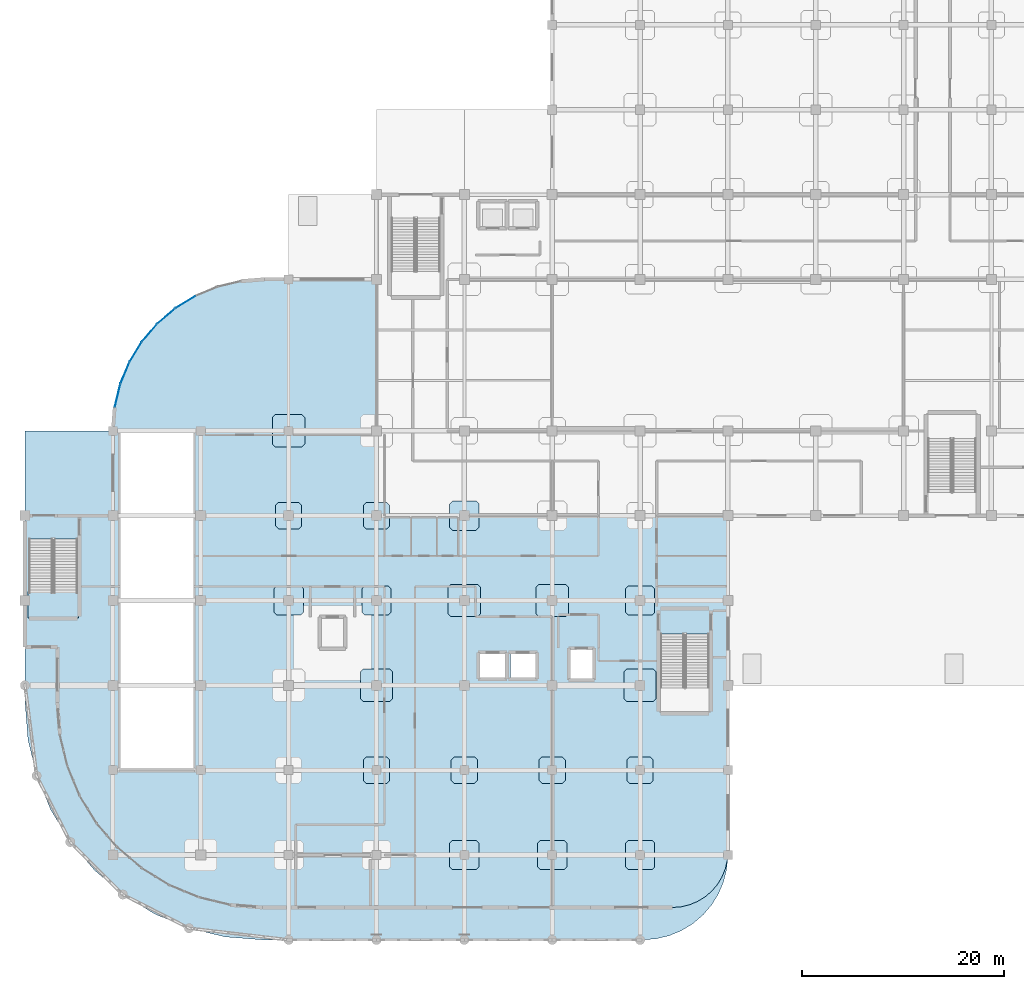
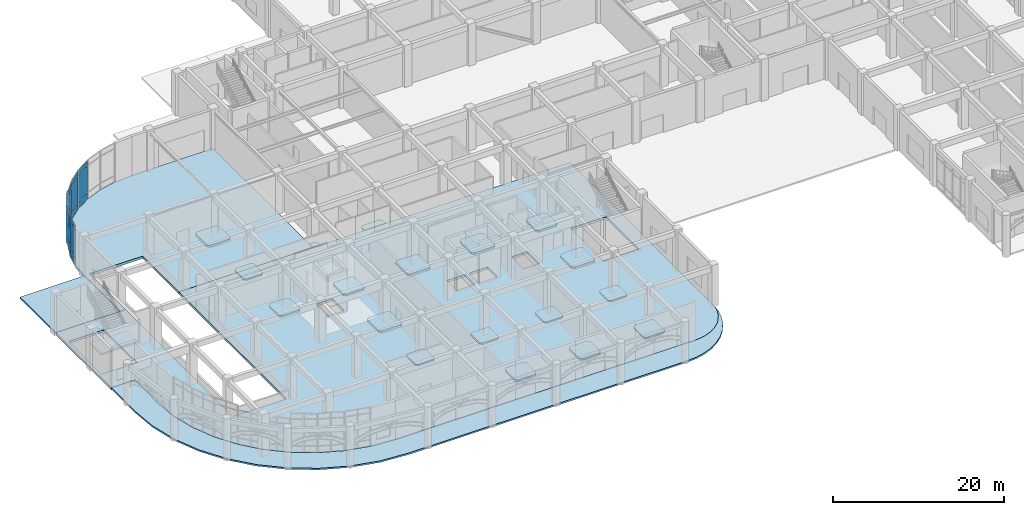
# One storey, part 51 of 82: 23 slabs, 18 plates, 7 elements without a shape of their own.
"""IFC4 building model written with IfcOpenShell, lengths in metres."""

from ifc_helpers import new_model, si_unit, derived_unit, direction, frame, origin, origin_2d, place, context, subcontext, project, spatial, polyline, rectangle, outline, extrude, material, layer, layer_set, type_object, element, aggregate, save


model = new_model("IFC4")

# Units and contexts
model_context = context("Model", 3, precision=1e-05, world=origin(), true_north=direction((0.0, 1.0)))
body_context = subcontext(model_context, "Body", "Model", "MODEL_VIEW")
ifc_project = project(units=[si_unit("LENGTHUNIT", "METRE"), si_unit("AREAUNIT", "SQUARE_METRE"), si_unit("VOLUMEUNIT", "CUBIC_METRE"), si_unit("PLANEANGLEUNIT", "RADIAN"), si_unit("MASSUNIT", "GRAM", prefix="KILO"), derived_unit("THERMALTRANSMITTANCEUNIT", [(si_unit("MASSUNIT", "GRAM", prefix="KILO"), 1), (si_unit("TIMEUNIT", "SECOND"), -3), (si_unit("THERMODYNAMICTEMPERATUREUNIT", "KELVIN"), -1)])], contexts=[model_context])

# Site, building, storey
site_placement = place(None, origin())
site = spatial("IfcSite", under=ifc_project, at=site_placement, CompositionType="ELEMENT")
building_placement = place(site_placement, origin())
building = spatial("IfcBuilding", under=site, at=building_placement, Name="Qinzheling Arcade Emporium", CompositionType="ELEMENT")
storey_placement = place(building_placement, origin())
storey = spatial("IfcBuildingStorey", under=building, at=storey_placement, Name="L01", CompositionType="ELEMENT", Elevation=0.0)

# Slabs
ifc_material_1 = material(Name="Concrete C40", Category="concrete")
ifc_layer_1 = layer(ifc_material_1, 0.235107421875, Name="Concrete C40", Category="concrete")
ifc_layer_set_1 = layer_set([ifc_layer_1], Name="Concrete C40")
slab_type_1 = type_object("IfcSlabType", Name="Column Head Drop Panel 2600x2600x235 C40", PredefinedType="USERDEFINED", material=ifc_layer_set_1)
slab_1_placement = place(storey_placement, frame((0.0, 0.0, -0.574951171875)))
element("IfcSlab", 1, at=slab_1_placement, inside=storey, type_object=slab_type_1, Name="Column Drop Panel DP-L01-4-F", ObjectType="DROP_PANEL", PredefinedType="USERDEFINED", context=body_context, shape_type="SweptSolid", body=[
    extrude(outline(polyline([(25.080078125, 40.699951171875), (27.1201171875, 40.699951171875), (27.39990234375, 40.97998046875), (27.39990234375, 43.02001953125), (27.1201171875, 43.300048828125), (25.080078125, 43.300048828125), (24.800048828125, 43.02001953125), (24.800048828125, 40.97998046875), (25.080078125, 40.699951171875)])), origin(), (0.0, 0.0, 1.0), 0.23486328125),
])
slab_2_placement = place(storey_placement, frame((0.0, 0.0, -0.574951171875)))
element("IfcSlab", 2, at=slab_2_placement, inside=storey, type_object=slab_type_1, Name="Column Drop Panel DP-L01-5-C", ObjectType="DROP_PANEL", PredefinedType="USERDEFINED", context=body_context, shape_type="SweptSolid", body=[
    extrude(outline(polyline([(33.780029296875, 15.5), (35.820068359375, 15.5), (36.10009765625, 15.780029296875), (36.10009765625, 17.820068359375), (35.820068359375, 18.10009765625), (33.780029296875, 18.10009765625), (33.5, 17.820068359375), (33.5, 15.780029296875), (33.780029296875, 15.5)])), origin(), (0.0, 0.0, 1.0), 0.23486328125),
])
slab_3_placement = place(storey_placement, frame((0.0, 0.0, -0.574951171875)))
element("IfcSlab", 3, at=slab_3_placement, inside=storey, type_object=slab_type_1, Name="Column Drop Panel DP-L01-5-F", ObjectType="DROP_PANEL", PredefinedType="USERDEFINED", context=body_context, shape_type="SweptSolid", body=[
    extrude(outline(polyline([(33.780029296875, 40.699951171875), (35.820068359375, 40.699951171875), (36.10009765625, 40.97998046875), (36.10009765625, 43.02001953125), (35.820068359375, 43.300048828125), (33.780029296875, 43.300048828125), (33.5, 43.02001953125), (33.5, 40.97998046875), (33.780029296875, 40.699951171875)])), origin(), (0.0, 0.0, 1.0), 0.23486328125),
])
slab_4_placement = place(storey_placement, frame((0.0, 0.0, -0.574951171875)))
element("IfcSlab", 4, at=slab_4_placement, inside=storey, type_object=slab_type_1, Name="Column Drop Panel DP-L01-6-C", ObjectType="DROP_PANEL", PredefinedType="USERDEFINED", context=body_context, shape_type="SweptSolid", body=[
    extrude(outline(polyline([(42.47998046875, 15.5), (44.52001953125, 15.5), (44.800048828125, 15.780029296875), (44.800048828125, 17.820068359375), (44.52001953125, 18.10009765625), (42.47998046875, 18.10009765625), (42.199951171875, 17.820068359375), (42.199951171875, 15.780029296875), (42.47998046875, 15.5)])), origin(), (0.0, 0.0, 1.0), 0.23486328125),
])
slab_5_placement = place(storey_placement, frame((0.0, 0.0, -0.574951171875)))
element("IfcSlab", 5, at=slab_5_placement, inside=storey, type_object=slab_type_1, Name="Column Drop Panel DP-L01-7-C", ObjectType="DROP_PANEL", PredefinedType="USERDEFINED", context=body_context, shape_type="SweptSolid", body=[
    extrude(outline(polyline([(51.179931640625, 15.5), (53.219970703125, 15.5), (53.5, 15.780029296875), (53.5, 17.820068359375), (53.219970703125, 18.10009765625), (51.179931640625, 18.10009765625), (50.89990234375, 17.820068359375), (50.89990234375, 15.780029296875), (51.179931640625, 15.5)])), origin(), (0.0, 0.0, 1.0), 0.23486328125),
])
slab_6_placement = place(storey_placement, frame((0.0, 0.0, -0.574951171875)))
element("IfcSlab", 6, at=slab_6_placement, inside=storey, type_object=slab_type_1, Name="Column Drop Panel DP-L01-8-C", ObjectType="DROP_PANEL", PredefinedType="USERDEFINED", context=body_context, shape_type="SweptSolid", body=[
    extrude(outline(polyline([(59.8798828125, 15.5), (61.919921875, 15.5), (62.199951171875, 15.780029296875), (62.199951171875, 17.820068359375), (61.919921875, 18.10009765625), (59.8798828125, 18.10009765625), (59.60009765625, 17.820068359375), (59.60009765625, 15.780029296875), (59.8798828125, 15.5)])), origin(), (0.0, 0.0, 1.0), 0.23486328125),
])
ifc_layer_2 = layer(ifc_material_1, 0.27001953125, Name="Concrete C40", Category="concrete")
ifc_layer_set_2 = layer_set([ifc_layer_2], Name="Concrete C40")
slab_type_2 = type_object("IfcSlabType", Name="Column Head Drop Panel 2900x2900x270 C40", PredefinedType="USERDEFINED", material=ifc_layer_set_2)
slab_7_placement = place(storey_placement, frame((0.0, 0.0, -0.610107421875)))
element("IfcSlab", 7, at=slab_7_placement, inside=storey, type_object=slab_type_2, Name="Column Drop Panel DP-L01-4-E", ObjectType="DROP_PANEL", PredefinedType="USERDEFINED", context=body_context, shape_type="SweptSolid", body=[
    extrude(outline(polyline([(24.929931640625, 32.14990234375), (27.27001953125, 32.14990234375), (27.550048828125, 32.429931640625), (27.550048828125, 34.77001953125), (27.27001953125, 35.050048828125), (24.929931640625, 35.050048828125), (24.64990234375, 34.77001953125), (24.64990234375, 32.429931640625), (24.929931640625, 32.14990234375)])), origin(), (0.0, 0.0, 1.0), 0.27001953125),
])
slab_8_placement = place(storey_placement, frame((0.0, 0.0, -0.610107421875)))
element("IfcSlab", 8, at=slab_8_placement, inside=storey, type_object=slab_type_2, Name="Column Drop Panel DP-L01-5-E", ObjectType="DROP_PANEL", PredefinedType="USERDEFINED", context=body_context, shape_type="SweptSolid", body=[
    extrude(outline(polyline([(33.6298828125, 32.14990234375), (35.969970703125, 32.14990234375), (36.25, 32.429931640625), (36.25, 34.77001953125), (35.969970703125, 35.050048828125), (33.6298828125, 35.050048828125), (33.35009765625, 34.77001953125), (33.35009765625, 32.429931640625), (33.6298828125, 32.14990234375)])), origin(), (0.0, 0.0, 1.0), 0.27001953125),
])
slab_9_placement = place(storey_placement, frame((0.0, 0.0, -0.610107421875)))
element("IfcSlab", 9, at=slab_9_placement, inside=storey, type_object=slab_type_2, Name="Column Drop Panel DP-L01-6-B", ObjectType="DROP_PANEL", PredefinedType="USERDEFINED", context=body_context, shape_type="SweptSolid", body=[
    extrude(outline(polyline([(42.330078125, 6.949951171875), (44.669921875, 6.949951171875), (44.949951171875, 7.22998046875), (44.949951171875, 9.570068359375), (44.669921875, 9.85009765625), (42.330078125, 9.85009765625), (42.050048828125, 9.570068359375), (42.050048828125, 7.22998046875), (42.330078125, 6.949951171875)])), origin(), (0.0, 0.0, 1.0), 0.27001953125),
])
slab_10_placement = place(storey_placement, frame((0.0, 0.0, -0.610107421875)))
element("IfcSlab", 10, at=slab_10_placement, inside=storey, type_object=slab_type_2, Name="Column Drop Panel DP-L01-6-F", ObjectType="DROP_PANEL", PredefinedType="USERDEFINED", context=body_context, shape_type="SweptSolid", body=[
    extrude(outline(polyline([(42.330078125, 40.550048828125), (44.669921875, 40.550048828125), (44.949951171875, 40.830078125), (44.949951171875, 43.169921875), (44.669921875, 43.449951171875), (42.330078125, 43.449951171875), (42.050048828125, 43.169921875), (42.050048828125, 40.830078125), (42.330078125, 40.550048828125)])), origin(), (0.0, 0.0, 1.0), 0.27001953125),
])
slab_11_placement = place(storey_placement, frame((0.0, 0.0, -0.610107421875)))
element("IfcSlab", 11, at=slab_11_placement, inside=storey, type_object=slab_type_2, Name="Column Drop Panel DP-L01-7-B", ObjectType="DROP_PANEL", PredefinedType="USERDEFINED", context=body_context, shape_type="SweptSolid", body=[
    extrude(outline(polyline([(51.030029296875, 6.949951171875), (53.3701171875, 6.949951171875), (53.64990234375, 7.22998046875), (53.64990234375, 9.570068359375), (53.3701171875, 9.85009765625), (51.030029296875, 9.85009765625), (50.75, 9.570068359375), (50.75, 7.22998046875), (51.030029296875, 6.949951171875)])), origin(), (0.0, 0.0, 1.0), 0.27001953125),
])
slab_12_placement = place(storey_placement, frame((0.0, 0.0, -0.610107421875)))
element("IfcSlab", 12, at=slab_12_placement, inside=storey, type_object=slab_type_2, Name="Column Drop Panel DP-L01-8-B", ObjectType="DROP_PANEL", PredefinedType="USERDEFINED", context=body_context, shape_type="SweptSolid", body=[
    extrude(outline(polyline([(59.72998046875, 6.949951171875), (62.070068359375, 6.949951171875), (62.35009765625, 7.22998046875), (62.35009765625, 9.570068359375), (62.070068359375, 9.85009765625), (59.72998046875, 9.85009765625), (59.449951171875, 9.570068359375), (59.449951171875, 7.22998046875), (59.72998046875, 6.949951171875)])), origin(), (0.0, 0.0, 1.0), 0.27001953125),
])
slab_13_placement = place(storey_placement, frame((0.0, 0.0, -0.610107421875)))
element("IfcSlab", 13, at=slab_13_placement, inside=storey, type_object=slab_type_2, Name="Column Drop Panel DP-L01-8-E", ObjectType="DROP_PANEL", PredefinedType="USERDEFINED", context=body_context, shape_type="SweptSolid", body=[
    extrude(outline(polyline([(59.72998046875, 32.14990234375), (62.070068359375, 32.14990234375), (62.35009765625, 32.429931640625), (62.35009765625, 34.77001953125), (62.070068359375, 35.050048828125), (59.72998046875, 35.050048828125), (59.449951171875, 34.77001953125), (59.449951171875, 32.429931640625), (59.72998046875, 32.14990234375)])), origin(), (0.0, 0.0, 1.0), 0.27001953125),
])
ifc_layer_3 = layer(ifc_material_1, 0.300048828125, Name="Concrete C40", Category="concrete")
ifc_layer_set_3 = layer_set([ifc_layer_3], Name="Concrete C40")
slab_type_3 = type_object("IfcSlabType", Name="Column Head Drop Panel 3200x3200x300 C40", PredefinedType="USERDEFINED", material=ifc_layer_set_3)
slab_14_placement = place(storey_placement, frame((0.0, 0.0, -0.639892578125)))
element("IfcSlab", 14, at=slab_14_placement, inside=storey, type_object=slab_type_3, Name="Column Drop Panel DP-L01-4-G", ObjectType="DROP_PANEL", PredefinedType="USERDEFINED", context=body_context, shape_type="SweptSolid", body=[
    extrude(outline(polyline([(24.780029296875, 48.800048828125), (27.419921875, 48.800048828125), (27.699951171875, 49.080078125), (27.699951171875, 51.719970703125), (27.419921875, 52.0), (24.780029296875, 52.0), (24.5, 51.719970703125), (24.5, 49.080078125), (24.780029296875, 48.800048828125)])), origin(), (0.0, 0.0, 1.0), 0.2998046875),
])
slab_15_placement = place(storey_placement, frame((0.0, 0.0, -0.639892578125)))
element("IfcSlab", 15, at=slab_15_placement, inside=storey, type_object=slab_type_3, Name="Column Drop Panel DP-L01-5-D", ObjectType="DROP_PANEL", PredefinedType="USERDEFINED", context=body_context, shape_type="SweptSolid", body=[
    extrude(outline(polyline([(33.47998046875, 23.60009765625), (36.1201171875, 23.60009765625), (36.39990234375, 23.8798828125), (36.39990234375, 26.52001953125), (36.1201171875, 26.800048828125), (33.47998046875, 26.800048828125), (33.199951171875, 26.52001953125), (33.199951171875, 23.8798828125), (33.47998046875, 23.60009765625)])), origin(), (0.0, 0.0, 1.0), 0.2998046875),
])
slab_16_placement = place(storey_placement, frame((0.0, 0.0, -0.639892578125)))
element("IfcSlab", 16, at=slab_16_placement, inside=storey, type_object=slab_type_3, Name="Column Drop Panel DP-L01-6-E", ObjectType="DROP_PANEL", PredefinedType="USERDEFINED", context=body_context, shape_type="SweptSolid", body=[
    extrude(outline(polyline([(42.179931640625, 32.0), (44.820068359375, 32.0), (45.10009765625, 32.280029296875), (45.10009765625, 34.919921875), (44.820068359375, 35.199951171875), (42.179931640625, 35.199951171875), (41.89990234375, 34.919921875), (41.89990234375, 32.280029296875), (42.179931640625, 32.0)])), origin(), (0.0, 0.0, 1.0), 0.2998046875),
])
slab_17_placement = place(storey_placement, frame((0.0, 0.0, -0.639892578125)))
element("IfcSlab", 17, at=slab_17_placement, inside=storey, type_object=slab_type_3, Name="Column Drop Panel DP-L01-7-E", ObjectType="DROP_PANEL", PredefinedType="USERDEFINED", context=body_context, shape_type="SweptSolid", body=[
    extrude(outline(polyline([(50.8798828125, 32.0), (53.52001953125, 32.0), (53.800048828125, 32.280029296875), (53.800048828125, 34.919921875), (53.52001953125, 35.199951171875), (50.8798828125, 35.199951171875), (50.60009765625, 34.919921875), (50.60009765625, 32.280029296875), (50.8798828125, 32.0)])), origin(), (0.0, 0.0, 1.0), 0.2998046875),
])
slab_18_placement = place(storey_placement, frame((0.0, 0.0, -0.639892578125)))
element("IfcSlab", 18, at=slab_18_placement, inside=storey, type_object=slab_type_3, Name="Column Drop Panel DP-L01-8-D", ObjectType="DROP_PANEL", PredefinedType="USERDEFINED", context=body_context, shape_type="SweptSolid", body=[
    extrude(outline(polyline([(59.580078125, 23.60009765625), (62.219970703125, 23.60009765625), (62.5, 23.8798828125), (62.5, 26.52001953125), (62.219970703125, 26.800048828125), (59.580078125, 26.800048828125), (59.300048828125, 26.52001953125), (59.300048828125, 23.8798828125), (59.580078125, 23.60009765625)])), origin(), (0.0, 0.0, 1.0), 0.2998046875),
])
ifc_layer_4 = layer(ifc_material_1, 0.219970703125, Name="Concrete C40", Category="concrete")
ifc_layer_set_4 = layer_set([ifc_layer_4], Name="Concrete C40")
slab_type_4 = type_object("IfcSlabType", Name="Exterior Entry Driveway Paving Slab 220 C40", PredefinedType="FLOOR", material=ifc_layer_set_4)
slab_19_placement = place(storey_placement, frame((0.0, 0.0, -0.219970703125)))
element("IfcSlab", 19, at=slab_19_placement, inside=storey, type_object=slab_type_4, Name="Arcade and Court Paving SLB-L01-ARC-COL-01", PredefinedType="FLOOR", context=body_context, shape_type="SweptSolid", body=[
    extrude(outline(polyline([(69.531982421875, 7.840087890625), (69.3310546875, 7.0), (69.0009765625, 6.202880859375), (68.550048828125, 5.467041015625), (67.989013671875, 4.81103515625), (67.3330078125, 4.25), (66.596923828125, 3.799072265625), (65.800048828125, 3.468994140625), (64.9599609375, 3.26806640625), (64.10009765625, 3.199951171875), (23.5, 3.199951171875), (20.323974609375, 3.449951171875), (17.22705078125, 4.194091796875), (14.283935546875, 5.4130859375), (11.568115234375, 7.076904296875), (9.14599609375, 9.14599609375), (7.076904296875, 11.568115234375), (5.4130859375, 14.283935546875), (4.194091796875, 17.22705078125), (3.449951171875, 20.323974609375), (3.199951171875, 23.5), (3.199951171875, 29.0), (0.0, 29.0), (0.0, 23.5), (0.2890625, 19.823974609375), (1.14990234375, 16.238037109375), (2.56103515625, 12.8310546875), (4.488037109375, 9.68701171875), (6.883056640625, 6.883056640625), (9.68701171875, 4.488037109375), (12.8310546875, 2.56103515625), (16.238037109375, 1.14990234375), (19.823974609375, 0.2890625), (23.5, 0.0), (61.199951171875, 0.0), (62.513916015625, 0.10302734375), (63.7958984375, 0.410888671875), (65.013916015625, 0.916015625), (66.136962890625, 1.60400390625), (67.139892578125, 2.4599609375), (67.99609375, 3.462890625), (68.68408203125, 4.5859375), (69.18896484375, 5.803955078125), (69.4970703125, 7.0859375), (69.60009765625, 8.39990234375), (69.60009765625, 8.699951171875), (69.531982421875, 7.840087890625)])), origin(), (0.0, 0.0, 1.0), 0.219970703125),
])
slab_20_placement = place(storey_placement, frame((0.0, 0.0, -0.219970703125)))
element("IfcSlab", 20, at=slab_20_placement, inside=storey, type_object=slab_type_4, Name="Arcade and Court Paving SLB-L01-COURT-NW-SHOULDER", PredefinedType="FLOOR", context=body_context, shape_type="SweptSolid", body=[
    extrude(outline(polyline([(8.699951171875, 42.0), (8.699951171875, 50.39990234375), (0.0, 50.39990234375), (0.0, 42.0), (8.699951171875, 42.0)])), origin(), (0.0, 0.0, 1.0), 0.219970703125),
])
ifc_layer_5 = layer(ifc_material_1, 0.340087890625, Name="Concrete C40", Category="concrete")
ifc_layer_set_5 = layer_set([ifc_layer_5], Name="Concrete C40")
slab_type_5 = type_object("IfcSlabType", Name="Ground Mercantile & Dock Slab 340 C40", PredefinedType="FLOOR", material=ifc_layer_set_5)
slab_21_placement = place(storey_placement, frame((0.0, 0.0, -0.340087890625)))
element("IfcSlab", 21, at=slab_21_placement, inside=storey, type_object=slab_type_5, Name="Floor Slab SLB-L01-V1", PredefinedType="FLOOR", context=body_context, shape_type="SweptSolid", body=[
    extrude(outline(polyline([(26.10009765625, 42.0), (16.659912109375, 42.0), (16.659912109375, 16.800048828125), (9.43994140625, 16.800048828125), (9.43994140625, 42.0), (3.199951171875, 42.0), (0.0, 42.0), (0.0, 29.0), (3.199951171875, 29.0), (3.199951171875, 23.5), (3.449951171875, 20.323974609375), (4.194091796875, 17.22705078125), (5.4130859375, 14.283935546875), (7.076904296875, 11.568115234375), (9.14599609375, 9.14599609375), (11.568115234375, 7.076904296875), (14.283935546875, 5.4130859375), (17.22705078125, 4.194091796875), (20.323974609375, 3.449951171875), (23.5, 3.199951171875), (64.10009765625, 3.199951171875), (64.9599609375, 3.26806640625), (65.800048828125, 3.468994140625), (66.596923828125, 3.799072265625), (67.3330078125, 4.25), (67.989013671875, 4.81103515625), (68.550048828125, 5.467041015625), (69.0009765625, 6.202880859375), (69.3310546875, 7.0), (69.531982421875, 7.840087890625), (69.60009765625, 8.699951171875), (69.60009765625, 42.0), (26.10009765625, 42.0)]), holes=[polyline([(67.739990234375, 30.27490234375), (67.739990234375, 22.60009765625), (62.949951171875, 22.60009765625), (62.949951171875, 30.27490234375), (67.739990234375, 30.27490234375)]), polyline([(56.199951171875, 28.699951171875), (56.199951171875, 25.89990234375), (54.0, 25.89990234375), (54.0, 28.699951171875), (56.199951171875, 28.699951171875)]), polyline([(50.550048828125, 28.300048828125), (50.550048828125, 26.0), (48.050048828125, 26.0), (48.050048828125, 28.300048828125), (50.550048828125, 28.300048828125)]), polyline([(47.550048828125, 28.300048828125), (47.550048828125, 26.0), (45.050048828125, 26.0), (45.050048828125, 28.300048828125), (47.550048828125, 28.300048828125)]), polyline([(31.550048828125, 31.800048828125), (31.550048828125, 29.0), (29.35009765625, 29.0), (29.35009765625, 31.800048828125), (31.550048828125, 31.800048828125)]), polyline([(5.18994140625, 39.675048828125), (5.18994140625, 32.0), (0.39990234375, 32.0), (0.39990234375, 39.675048828125), (5.18994140625, 39.675048828125)])]), origin(), (0.0, 0.0, 1.0), 0.340087890625),
])
slab_22_placement = place(storey_placement, frame((0.0, 0.0, -0.340087890625)))
element("IfcSlab", 22, at=slab_22_placement, inside=storey, type_object=slab_type_5, Name="Floor Slab SLB-L01-V1W", PredefinedType="FLOOR", context=body_context, shape_type="SweptSolid", body=[
    extrude(outline(polyline([(8.699951171875, 50.39990234375), (8.699951171875, 42.0), (9.43994140625, 42.0), (9.43994140625, 50.447998046875), (16.659912109375, 50.447998046875), (16.659912109375, 42.0), (34.800048828125, 42.0), (34.800048828125, 65.39990234375), (23.699951171875, 65.39990234375), (21.35302734375, 65.215087890625), (19.06494140625, 64.666015625), (16.889892578125, 63.764892578125), (14.883056640625, 62.534912109375), (13.093017578125, 61.007080078125), (11.56494140625, 59.217041015625), (10.3349609375, 57.2099609375), (9.43408203125, 55.034912109375), (8.885009765625, 52.7470703125), (8.699951171875, 50.39990234375)])), origin(), (0.0, 0.0, 1.0), 0.340087890625),
])

# Curtain wall, plates
ifc_material_2 = material(Name="Anodised aluminium and solar-control double glazing", Category="aluminium")
ifc_layer_6 = layer(ifc_material_2, 0.159912109375, Name="Anodised aluminium and solar-control double glazing", Category="aluminium")
ifc_layer_set_6 = layer_set([ifc_layer_6], Name="Anodised aluminium and solar-control double glazing")
curtain_wall_type = type_object("IfcCurtainWallType", Name="Curved Ribbon Sales Curtain Wall", PredefinedType="NOTDEFINED", material=ifc_layer_set_6)
curtain_wall_1_placement = place(storey_placement, origin())
curtain_wall_1 = element("IfcCurtainWall", 23, at=curtain_wall_1_placement, inside=storey, type_object=curtain_wall_type, Name="Curtain Wall CW-L01-019", PredefinedType="NOTDEFINED")
ifc_material_3 = material(Name="Laminated solar-control double glazing", Category="glass")
ifc_layer_7 = layer(ifc_material_3, 0.02490234375, Name="Laminated solar-control double glazing", Category="glass")
ifc_layer_set_7 = layer_set([ifc_layer_7], Name="Laminated solar-control double glazing")
plate_type_1 = type_object("IfcPlateType", Name="Low-E Double Glazed Curtain Panel 25mm", PredefinedType="CURTAIN_PANEL", material=ifc_layer_set_7)
plate_1_placement = place(storey_placement, frame((9.159423828125, 53.89111328125, 0.06005859375), z_axis=(0.0, 0.0, 1.0), x_axis=(0.233324729854, 0.972398874145, 0.0)))
plate_1 = element("IfcPlate", 24, at=plate_1_placement, type_object=plate_type_1, Name="CW02 panel 1.1", PredefinedType="CURTAIN_PANEL", context=body_context, shape_type="SweptSolid", body=[
    extrude(rectangle(XDim=2.23291015625, YDim=0.02490234375, at=origin_2d()), origin(), (0.0, 0.0, 1.0), 0.860107421875),
])
plate_2_placement = place(storey_placement, frame((9.159423828125, 53.89111328125, 0.97998046875), z_axis=(0.0, 0.0, 1.0), x_axis=(0.233324729854, 0.972398874145, 0.0)))
plate_2 = element("IfcPlate", 25, at=plate_2_placement, type_object=plate_type_1, Name="CW02 panel 1.2", PredefinedType="CURTAIN_PANEL", context=body_context, shape_type="SweptSolid", body=[
    extrude(rectangle(XDim=2.23291015625, YDim=0.02490234375, at=origin_2d()), origin(), (0.0, 0.0, 1.0), 3.800048828125),
])
plate_3_placement = place(storey_placement, frame((9.159423828125, 53.89111328125, 4.83984375), z_axis=(0.0, 0.0, 1.0), x_axis=(0.233324729854, 0.972398874145, 0.0)))
plate_3 = element("IfcPlate", 26, at=plate_3_placement, type_object=plate_type_1, Name="CW02 panel 1.3", PredefinedType="CURTAIN_PANEL", context=body_context, shape_type="SweptSolid", body=[
    extrude(rectangle(XDim=2.23291015625, YDim=0.02490234375, at=origin_2d()), origin(), (0.0, 0.0, 1.0), 0.760009765625),
])
aggregate(curtain_wall_1, [plate_1, plate_2, plate_3])

curtain_wall_2_placement = place(storey_placement, origin())
curtain_wall_2 = element("IfcCurtainWall", 27, at=curtain_wall_2_placement, inside=storey, type_object=curtain_wall_type, Name="Curtain Wall CW-L01-020", PredefinedType="NOTDEFINED")
ifc_layer_8 = layer(ifc_material_3, 0.02587890625, Name="Laminated solar-control double glazing", Category="glass")
ifc_layer_set_8 = layer_set([ifc_layer_8], Name="Laminated solar-control double glazing")
plate_type_2 = type_object("IfcPlateType", Name="Low-E Double Glazed Curtain Panel 26mm", PredefinedType="CURTAIN_PANEL", material=ifc_layer_set_8)
plate_4_placement = place(storey_placement, frame((9.884521484375, 56.12255859375, 0.06005859375), z_axis=(0.0, 0.0, 1.0), x_axis=(0.382714431752, 0.923866691535, 0.0)))
plate_4 = element("IfcPlate", 28, at=plate_4_placement, type_object=plate_type_2, Name="CW02 panel 1.1", PredefinedType="CURTAIN_PANEL", context=body_context, shape_type="SweptSolid", body=[
    extrude(rectangle(XDim=2.234130859375, YDim=0.02587890625, at=origin_2d()), origin(), (0.0, 0.0, 1.0), 0.860107421875),
])
plate_5_placement = place(storey_placement, frame((9.884521484375, 56.12255859375, 0.97998046875), z_axis=(0.0, 0.0, 1.0), x_axis=(0.382714431752, 0.923866691535, 0.0)))
plate_5 = element("IfcPlate", 29, at=plate_5_placement, type_object=plate_type_2, Name="CW02 panel 1.2", PredefinedType="CURTAIN_PANEL", context=body_context, shape_type="SweptSolid", body=[
    extrude(rectangle(XDim=2.234130859375, YDim=0.02587890625, at=origin_2d()), origin(), (0.0, 0.0, 1.0), 3.800048828125),
])
plate_6_placement = place(storey_placement, frame((9.884521484375, 56.12255859375, 4.83984375), z_axis=(0.0, 0.0, 1.0), x_axis=(0.382714431752, 0.923866691535, 0.0)))
plate_6 = element("IfcPlate", 30, at=plate_6_placement, type_object=plate_type_2, Name="CW02 panel 1.3", PredefinedType="CURTAIN_PANEL", context=body_context, shape_type="SweptSolid", body=[
    extrude(rectangle(XDim=2.234130859375, YDim=0.02587890625, at=origin_2d()), origin(), (0.0, 0.0, 1.0), 0.760009765625),
])
aggregate(curtain_wall_2, [plate_4, plate_5, plate_6])

curtain_wall_3_placement = place(storey_placement, origin())
curtain_wall_3 = element("IfcCurtainWall", 31, at=curtain_wall_3_placement, inside=storey, type_object=curtain_wall_type, Name="Curtain Wall CW-L01-021", PredefinedType="NOTDEFINED")
ifc_layer_9 = layer(ifc_material_3, 0.027099609375, Name="Laminated solar-control double glazing", Category="glass")
ifc_layer_set_9 = layer_set([ifc_layer_9], Name="Laminated solar-control double glazing")
plate_type_3 = type_object("IfcPlateType", Name="Low-E Double Glazed Curtain Panel 27mm", PredefinedType="CURTAIN_PANEL", material=ifc_layer_set_9)
plate_7_placement = place(storey_placement, frame((10.949951171875, 58.21337890625, 0.06005859375), z_axis=(0.0, 0.0, 1.0), x_axis=(0.522532172191, 0.852619568756, 0.0)))
plate_7 = element("IfcPlate", 32, at=plate_7_placement, type_object=plate_type_3, Name="CW02 panel 1.1", PredefinedType="CURTAIN_PANEL", context=body_context, shape_type="SweptSolid", body=[
    extrude(rectangle(XDim=2.23388671875, YDim=0.027099609375, at=origin_2d()), origin(), (0.0, 0.0, 1.0), 0.860107421875),
])
plate_8_placement = place(storey_placement, frame((10.949951171875, 58.21337890625, 0.97998046875), z_axis=(0.0, 0.0, 1.0), x_axis=(0.522532172191, 0.852619568756, 0.0)))
plate_8 = element("IfcPlate", 33, at=plate_8_placement, type_object=plate_type_3, Name="CW02 panel 1.2", PredefinedType="CURTAIN_PANEL", context=body_context, shape_type="SweptSolid", body=[
    extrude(rectangle(XDim=2.23388671875, YDim=0.027099609375, at=origin_2d()), origin(), (0.0, 0.0, 1.0), 3.800048828125),
])
plate_9_placement = place(storey_placement, frame((10.949951171875, 58.21337890625, 4.83984375), z_axis=(0.0, 0.0, 1.0), x_axis=(0.522532172191, 0.852619568756, 0.0)))
plate_9 = element("IfcPlate", 34, at=plate_9_placement, type_object=plate_type_3, Name="CW02 panel 1.3", PredefinedType="CURTAIN_PANEL", context=body_context, shape_type="SweptSolid", body=[
    extrude(rectangle(XDim=2.23388671875, YDim=0.027099609375, at=origin_2d()), origin(), (0.0, 0.0, 1.0), 0.760009765625),
])
aggregate(curtain_wall_3, [plate_7, plate_8, plate_9])

curtain_wall_4_placement = place(storey_placement, origin())
curtain_wall_4 = element("IfcCurtainWall", 35, at=curtain_wall_4_placement, inside=storey, type_object=curtain_wall_type, Name="Curtain Wall CW-L01-022", PredefinedType="NOTDEFINED")
ifc_layer_10 = layer(ifc_material_3, 0.028076171875, Name="Laminated solar-control double glazing", Category="glass")
ifc_layer_set_10 = layer_set([ifc_layer_10], Name="Laminated solar-control double glazing")
plate_type_4 = type_object("IfcPlateType", Name="Low-E Double Glazed Curtain Panel 28mm", PredefinedType="CURTAIN_PANEL", material=ifc_layer_set_10)
plate_10_placement = place(storey_placement, frame((12.3291015625, 60.112060546875, 0.06005859375), z_axis=(0.0, 0.0, 1.0), x_axis=(0.649250390185, 0.760574737185, 0.0)))
plate_10 = element("IfcPlate", 36, at=plate_10_placement, type_object=plate_type_4, Name="CW02 panel 1.1", PredefinedType="CURTAIN_PANEL", context=body_context, shape_type="SweptSolid", body=[
    extrude(rectangle(XDim=2.2333984375, YDim=0.028076171875, at=origin_2d()), origin(), (0.0, 0.0, 1.0), 0.860107421875),
])
plate_11_placement = place(storey_placement, frame((12.3291015625, 60.112060546875, 0.97998046875), z_axis=(0.0, 0.0, 1.0), x_axis=(0.649250390185, 0.760574737185, 0.0)))
plate_11 = element("IfcPlate", 37, at=plate_11_placement, type_object=plate_type_4, Name="CW02 panel 1.2", PredefinedType="CURTAIN_PANEL", context=body_context, shape_type="SweptSolid", body=[
    extrude(rectangle(XDim=2.2333984375, YDim=0.028076171875, at=origin_2d()), origin(), (0.0, 0.0, 1.0), 3.800048828125),
])
plate_12_placement = place(storey_placement, frame((12.3291015625, 60.112060546875, 4.83984375), z_axis=(0.0, 0.0, 1.0), x_axis=(0.649250390185, 0.760574737185, 0.0)))
plate_12 = element("IfcPlate", 38, at=plate_12_placement, type_object=plate_type_4, Name="CW02 panel 1.3", PredefinedType="CURTAIN_PANEL", context=body_context, shape_type="SweptSolid", body=[
    extrude(rectangle(XDim=2.2333984375, YDim=0.028076171875, at=origin_2d()), origin(), (0.0, 0.0, 1.0), 0.760009765625),
])
aggregate(curtain_wall_4, [plate_10, plate_11, plate_12])

curtain_wall_5_placement = place(storey_placement, origin())
curtain_wall_5 = element("IfcCurtainWall", 39, at=curtain_wall_5_placement, inside=storey, type_object=curtain_wall_type, Name="Curtain Wall CW-L01-023", PredefinedType="NOTDEFINED")
ifc_layer_11 = layer(ifc_material_3, 0.029052734375, Name="Laminated solar-control double glazing", Category="glass")
ifc_layer_set_11 = layer_set([ifc_layer_11], Name="Laminated solar-control double glazing")
plate_type_5 = type_object("IfcPlateType", Name="Low-E Double Glazed Curtain Panel 29mm", PredefinedType="CURTAIN_PANEL", material=ifc_layer_set_11)
plate_13_placement = place(storey_placement, frame((13.988037109375, 61.77099609375, 0.06005859375), z_axis=(0.0, 0.0, 1.0), x_axis=(0.760574737185, 0.649250390185, 0.0)))
plate_13 = element("IfcPlate", 40, at=plate_13_placement, type_object=plate_type_5, Name="CW02 panel 1.1", PredefinedType="CURTAIN_PANEL", context=body_context, shape_type="SweptSolid", body=[
    extrude(rectangle(XDim=2.2333984375, YDim=0.029052734375, at=origin_2d()), origin(), (0.0, 0.0, 1.0), 0.860107421875),
])
plate_14_placement = place(storey_placement, frame((13.988037109375, 61.77099609375, 0.97998046875), z_axis=(0.0, 0.0, 1.0), x_axis=(0.760574737185, 0.649250390185, 0.0)))
plate_14 = element("IfcPlate", 41, at=plate_14_placement, type_object=plate_type_5, Name="CW02 panel 1.2", PredefinedType="CURTAIN_PANEL", context=body_context, shape_type="SweptSolid", body=[
    extrude(rectangle(XDim=2.2333984375, YDim=0.029052734375, at=origin_2d()), origin(), (0.0, 0.0, 1.0), 3.800048828125),
])
plate_15_placement = place(storey_placement, frame((13.988037109375, 61.77099609375, 4.83984375), z_axis=(0.0, 0.0, 1.0), x_axis=(0.760574737185, 0.649250390185, 0.0)))
plate_15 = element("IfcPlate", 42, at=plate_15_placement, type_object=plate_type_5, Name="CW02 panel 1.3", PredefinedType="CURTAIN_PANEL", context=body_context, shape_type="SweptSolid", body=[
    extrude(rectangle(XDim=2.2333984375, YDim=0.029052734375, at=origin_2d()), origin(), (0.0, 0.0, 1.0), 0.760009765625),
])
aggregate(curtain_wall_5, [plate_13, plate_14, plate_15])

curtain_wall_6_placement = place(storey_placement, origin())
curtain_wall_6 = element("IfcCurtainWall", 43, at=curtain_wall_6_placement, inside=storey, type_object=curtain_wall_type, Name="Curtain Wall CW-L01-024", PredefinedType="NOTDEFINED")
ifc_layer_12 = layer(ifc_material_3, 0.030029296875, Name="Laminated solar-control double glazing", Category="glass")
ifc_layer_set_12 = layer_set([ifc_layer_12], Name="Laminated solar-control double glazing")
plate_type_6 = type_object("IfcPlateType", Name="Low-E Double Glazed Curtain Panel 30mm", PredefinedType="CURTAIN_PANEL", material=ifc_layer_set_12)
plate_16_placement = place(storey_placement, frame((15.886474609375, 63.14990234375, 0.06005859375), z_axis=(0.0, 0.0, 1.0), x_axis=(0.852619568756, 0.522532172191, 0.0)))
plate_16 = element("IfcPlate", 44, at=plate_16_placement, type_object=plate_type_6, Name="CW02 panel 1.1", PredefinedType="CURTAIN_PANEL", context=body_context, shape_type="SweptSolid", body=[
    extrude(rectangle(XDim=2.23388671875, YDim=0.030029296875, at=origin_2d()), origin(), (0.0, 0.0, 1.0), 0.860107421875),
])
plate_17_placement = place(storey_placement, frame((15.886474609375, 63.14990234375, 0.97998046875), z_axis=(0.0, 0.0, 1.0), x_axis=(0.852619568756, 0.522532172191, 0.0)))
plate_17 = element("IfcPlate", 45, at=plate_17_placement, type_object=plate_type_6, Name="CW02 panel 1.2", PredefinedType="CURTAIN_PANEL", context=body_context, shape_type="SweptSolid", body=[
    extrude(rectangle(XDim=2.23388671875, YDim=0.030029296875, at=origin_2d()), origin(), (0.0, 0.0, 1.0), 3.800048828125),
])
plate_18_placement = place(storey_placement, frame((15.886474609375, 63.14990234375, 4.83984375), z_axis=(0.0, 0.0, 1.0), x_axis=(0.852619568756, 0.522532172191, 0.0)))
plate_18 = element("IfcPlate", 46, at=plate_18_placement, type_object=plate_type_6, Name="CW02 panel 1.3", PredefinedType="CURTAIN_PANEL", context=body_context, shape_type="SweptSolid", body=[
    extrude(rectangle(XDim=2.23388671875, YDim=0.030029296875, at=origin_2d()), origin(), (0.0, 0.0, 1.0), 0.760009765625),
])
aggregate(curtain_wall_6, [plate_16, plate_17, plate_18])

# Stair, slab
stair_type = type_object("IfcStairType", Name="Cast-in-Situ Dog-Leg Escape Stair H6000", PredefinedType="HALF_TURN_STAIR", material=ifc_material_1)
stair_placement = place(storey_placement, origin())
stair = element("IfcStair", 47, at=stair_placement, inside=storey, type_object=stair_type, Name="L01 ST02", PredefinedType="HALF_TURN_STAIR")
ifc_layer_13 = layer(ifc_material_1, 0.199951171875, Name="Concrete C40", Category="concrete")
ifc_layer_set_13 = layer_set([ifc_layer_13], Name="Concrete C40")
slab_type_6 = type_object("IfcSlabType", Name="Stair Half-Turn Landing Slab 200 C40", PredefinedType="LANDING", material=ifc_layer_set_13)
slab_23_placement = place(storey_placement, frame((0.0, 0.0, 2.800048828125)))
slab_23 = element("IfcSlab", 48, at=slab_23_placement, type_object=slab_type_6, Name="ST02 landing 1", PredefinedType="LANDING", context=body_context, shape_type="SweptSolid", body=[
    extrude(outline(polyline([(0.280029296875, 34.47998046875), (5.31005859375, 34.47998046875), (5.31005859375, 31.8798828125), (0.280029296875, 31.8798828125), (0.280029296875, 34.47998046875)])), origin(), (0.0, 0.0, 1.0), 0.199951171875),
])
aggregate(stair, [slab_23])

save(model, "model.ifc")
